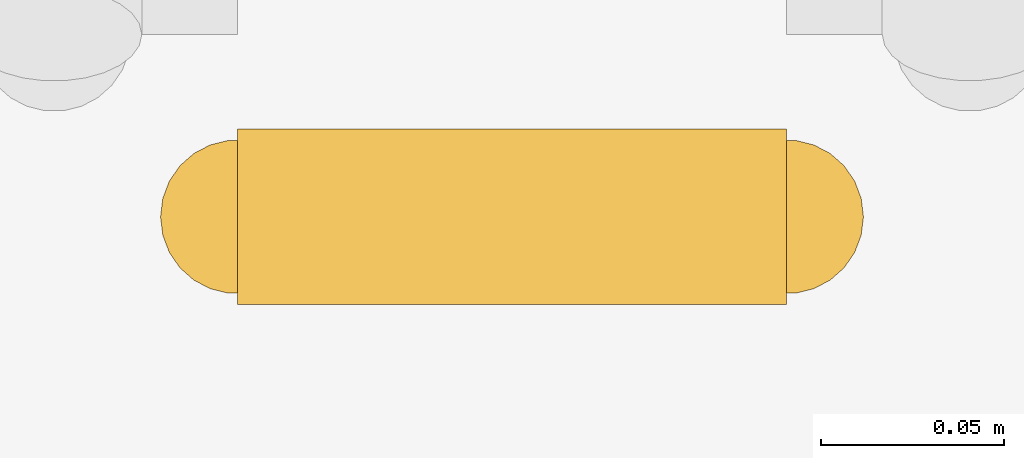
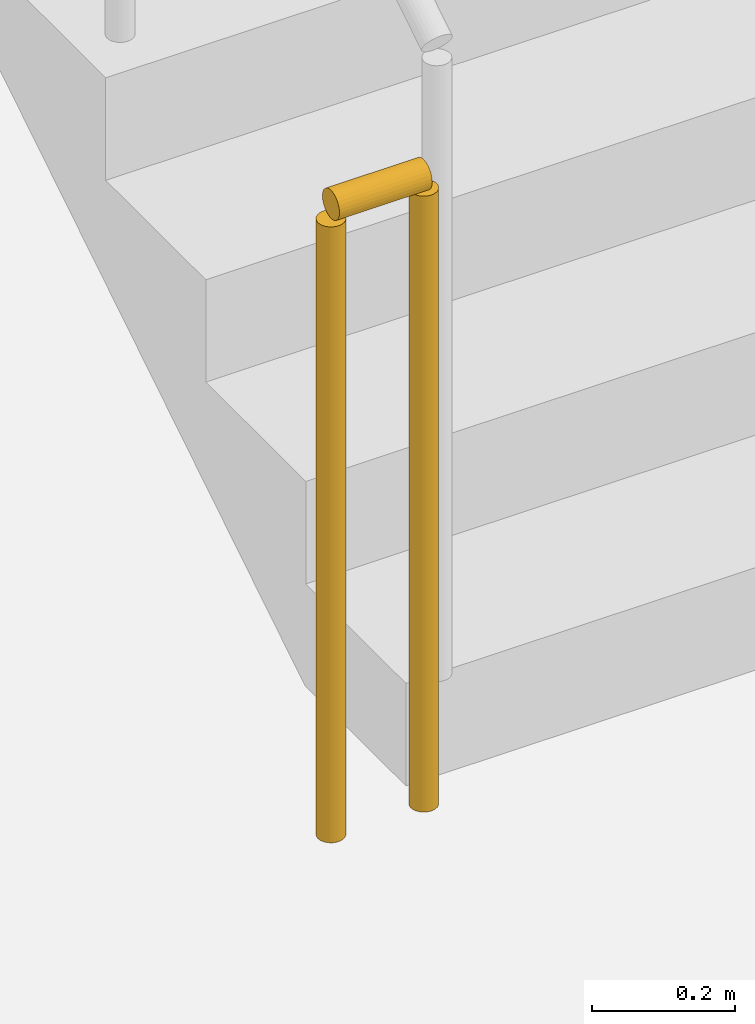
# One storey, part 50 of 60: 1 railing.
"""IFC4 building model written with IfcOpenShell, lengths in metres."""

from ifc_helpers import new_model, si_unit, direction, frame, origin, origin_2d, place, context, subcontext, project, spatial, circle, extrude, material, type_object, element, save


model = new_model("IFC4")

# Units and contexts
model_context = context("Model", 3, precision=1e-05, world=origin(), true_north=direction((0.0, 1.0)))
body_context = subcontext(model_context, "Body", "Model", "MODEL_VIEW")
ifc_project = project(units=[si_unit("LENGTHUNIT", "METRE"), si_unit("AREAUNIT", "SQUARE_METRE"), si_unit("VOLUMEUNIT", "CUBIC_METRE"), si_unit("PLANEANGLEUNIT", "RADIAN"), si_unit("MASSUNIT", "GRAM", prefix="KILO")], contexts=[model_context])

# Site, building, storey
site_placement = place(None, origin())
site = spatial("IfcSite", under=ifc_project, at=site_placement, CompositionType="ELEMENT")
building_placement = place(site_placement, origin())
building = spatial("IfcBuilding", under=site, at=building_placement, Name="Stone Belt Terrace Tower", CompositionType="ELEMENT")
storey_placement = place(building_placement, origin())
storey = spatial("IfcBuildingStorey", under=building, at=storey_placement, Name="L00", CompositionType="ELEMENT", Elevation=0.0)

# Railing
ifc_material = material(Name="Steel balustrade", Category="steel")
railing_type = type_object("IfcRailingType", Name="Podium stair guard", PredefinedType="GUARDRAIL", material=ifc_material)
railing_placement = place(storey_placement, frame((12.074951171875, 33.840087890625, 0.0)))
element("IfcRailing", 1, at=railing_placement, inside=storey, type_object=railing_type, Name="L00 PS6 stair guard 4", PredefinedType="GUARDRAIL", context=body_context, shape_type="SweptSolid", body=[
    extrude(circle(Radius=0.02392578125, at=origin_2d()), frame((0.0, 0.0, 1.076171875), z_axis=(-1.0, 0.0, 0.0), x_axis=(0.0, -1.0, 0.0)), (0.0, 0.0, 1.0), 0.14990234375),
    extrude(circle(Radius=0.02099609375, at=origin_2d()), origin(), (0.0, 0.0, 1.0), 1.052001953125),
    extrude(circle(Radius=0.02099609375, at=origin_2d()), frame((-0.14990234375, 0.0, 0.0)), (0.0, 0.0, 1.0), 1.052001953125),
])

save(model, "model.ifc")
